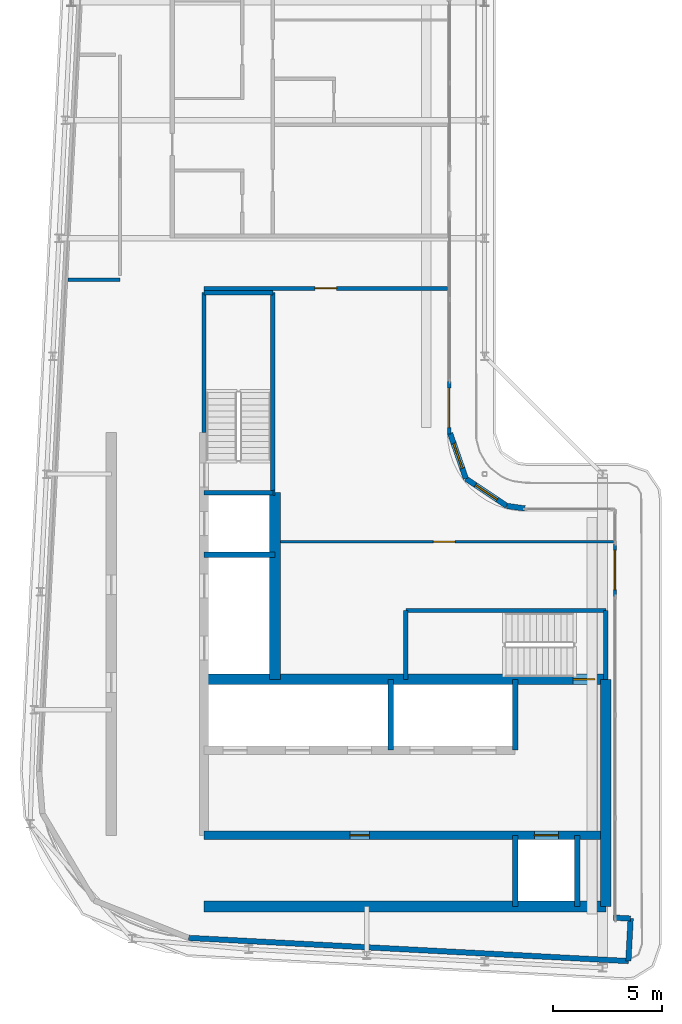
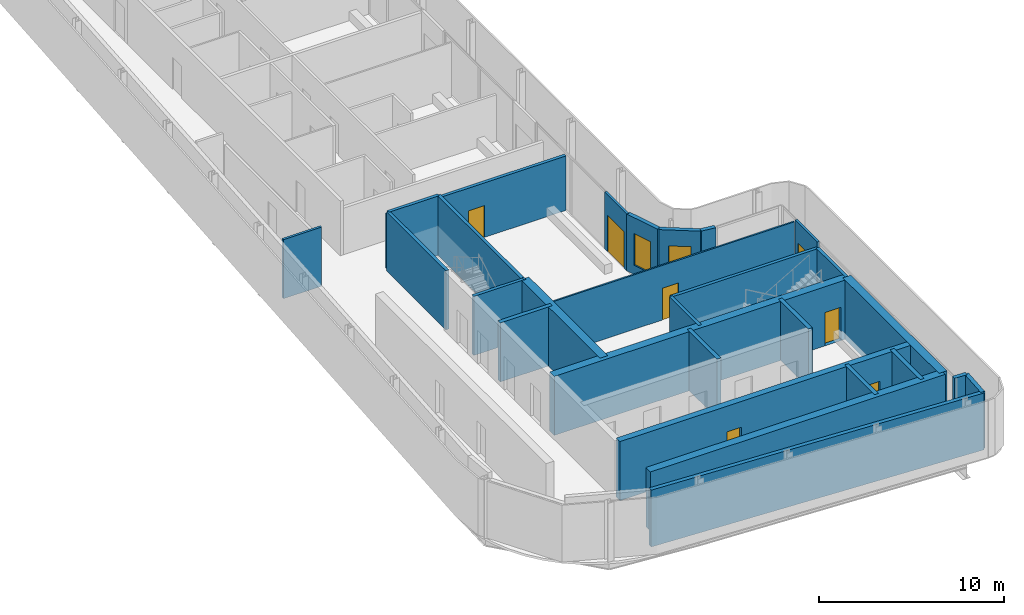
# One storey, part 9 of 15: 29 walls, 7 doors, 2 windows, 9 openings.
"""IFC4 building model written with IfcOpenShell, lengths in metres."""

from ifc_helpers import new_model, si_unit, direction, frame, frame_2d, origin, place, context, subcontext, project, spatial, rectangle, extrude, source, transform, mapped, material, layer, layer_set, type_object, element, fill, save


model = new_model("IFC4")

# Units and contexts
model_context = context("Model", 3, precision=1e-05, world=origin(), true_north=direction((0.0, 1.0)))
body_context = subcontext(model_context, "Body", "Model", "MODEL_VIEW")
ifc_project = project(units=[si_unit("LENGTHUNIT", "METRE"), si_unit("AREAUNIT", "SQUARE_METRE"), si_unit("VOLUMEUNIT", "CUBIC_METRE"), si_unit("PLANEANGLEUNIT", "RADIAN"), si_unit("MASSUNIT", "GRAM", prefix="KILO")], contexts=[model_context])

# Site, building, storey
site_placement = place(None, origin())
site = spatial("IfcSite", under=ifc_project, at=site_placement, CompositionType="ELEMENT")
building_placement = place(site_placement, origin())
building = spatial("IfcBuilding", under=site, at=building_placement, Name="Kheshtan School and Residences Tower", CompositionType="ELEMENT")
storey_placement = place(building_placement, frame((0.0, 0.0, 338.300048828125)))
storey = spatial("IfcBuildingStorey", under=building, at=storey_placement, Name="L79", CompositionType="ELEMENT", Elevation=338.300048828125)

# Wall, openings, doors
ifc_material_1 = material(Name="Concrete C50/60", Category="concrete")
ifc_layer_1 = layer(ifc_material_1, 0.39990234375)
ifc_layer_set_1 = layer_set([ifc_layer_1], Name="Core wall 400 Concrete C50/60")
wall_type_1 = type_object("IfcWallType", Name="Core wall 400 Concrete C50/60", PredefinedType="SHEAR", material=ifc_layer_set_1)
wall_1_placement = place(storey_placement, frame((34.75, 29.050048828125, 0.0), z_axis=(0.0, 0.0, 1.0), x_axis=(1.0, 0.0, 0.0)))
wall_1 = element("IfcWall", 1, at=wall_1_placement, inside=storey, type_object=wall_type_1, Name="Core wall CW-HALL-S1", PredefinedType="SHEAR", context=body_context, shape_type="SweptSolid", body=[
    extrude(rectangle(XDim=18.39990234375, YDim=0.39990234375, at=frame_2d((9.199951171875, 0.0))), origin(), (0.0, 0.0, 1.0), 3.89990234375),
])
opening_1_placement = place(wall_1_placement, frame((15.125, 0.0, 0.0)))
opening_1 = element("IfcOpeningElement", 2, at=opening_1_placement, cuts=wall_1, Name="Opening LD", PredefinedType="OPENING", context=body_context, shape_type="SweptSolid", body=[
    extrude(rectangle(XDim=1.10009765625, YDim=2.199951171875, at=frame_2d((0.550048828125, 1.10009765625))), frame((0.0, 0.2099609375, 0.0), z_axis=(0.0, -1.0, 0.0), x_axis=(1.0, 0.0, 0.0)), (0.0, 0.0, 1.0), 0.419921875),
])
opening_2_placement = place(wall_1_placement, frame((6.675048828125, 0.0, 0.0)))
opening_2 = element("IfcOpeningElement", 3, at=opening_2_placement, cuts=wall_1, Name="Opening SR90", PredefinedType="OPENING", context=body_context, shape_type="SweptSolid", body=[
    extrude(rectangle(XDim=0.89990234375, YDim=2.199951171875, at=frame_2d((0.449951171875, 1.10009765625))), frame((0.0, 0.2099609375, 0.0), z_axis=(0.0, -1.0, 0.0), x_axis=(1.0, 0.0, 0.0)), (0.0, 0.0, 1.0), 0.419921875),
])
ifc_material_2 = material(Name="Stainless steel door leaves", Category="steel")
door_type_1 = type_object("IfcDoorType", Name="Lift landing door 1100", OperationType="SLIDING_TO_LEFT", PredefinedType="DOOR", material=ifc_material_2)
shared_shape_1 = source(origin(), body_context, "Body", "SweptSolid", [
    extrude(rectangle(XDim=1.10009765625, YDim=2.199951171875, at=frame_2d((0.550048828125, 1.10009765625))), frame((0.0, 0.02490234375, 0.0), z_axis=(0.0, -1.0, 0.0), x_axis=(1.0, 0.0, 0.0)), (0.0, 0.0, 1.0), 0.050048828125),
])
door_1_placement = place(opening_1_placement, origin())
door_1 = element("IfcDoor", 4, at=door_1_placement, inside=storey, type_object=door_type_1, Name="Lift FFL2 landing door", OperationType="SLIDING_TO_LEFT", OverallHeight=2.199951171875, OverallWidth=1.10009765625, PredefinedType="DOOR", context=body_context, shape_type="MappedRepresentation", body=[
    mapped(shared_shape_1, transform((0.0, 0.0, 0.0), x_axis=(1.0, 0.0, 0.0), y_axis=(0.0, 1.0, 0.0), z_axis=(0.0, 0.0, 1.0), scale=1.0)),
])
fill(opening_1, door_1)
ifc_material_3 = material(Name="Steel door leaf, galvanised", Category="steel")
door_type_2 = type_object("IfcDoorType", Name="Service room door 900 steel 90 min", OperationType="SINGLE_SWING_LEFT", PredefinedType="DOOR", material=ifc_material_3)
shared_shape_2 = source(origin(), body_context, "Body", "SweptSolid", [
    extrude(rectangle(XDim=0.89990234375, YDim=2.199951171875, at=frame_2d((0.449951171875, 1.10009765625))), frame((0.0, 0.02490234375, 0.0), z_axis=(0.0, -1.0, 0.0), x_axis=(1.0, 0.0, 0.0)), (0.0, 0.0, 1.0), 0.050048828125),
])
door_2_placement = place(opening_2_placement, origin())
door_2 = element("IfcDoor", 5, at=door_2_placement, inside=storey, type_object=door_type_2, Name="Service room door", OperationType="SINGLE_SWING_RIGHT", OverallHeight=2.199951171875, OverallWidth=0.89990234375, PredefinedType="DOOR", context=body_context, shape_type="MappedRepresentation", body=[
    mapped(shared_shape_2, transform((0.0, 0.0, 0.0), x_axis=(1.0, 0.0, 0.0), y_axis=(0.0, 1.0, 0.0), z_axis=(0.0, 0.0, 1.0), scale=1.0)),
])
fill(opening_2, door_2)

# Wall
ifc_layer_2 = layer(ifc_material_1, 0.5)
ifc_layer_set_2 = layer_set([ifc_layer_2], Name="Core wall 500 Concrete C50/60")
wall_type_2 = type_object("IfcWallType", Name="Core wall 500 Concrete C50/60", PredefinedType="SHEAR", material=ifc_layer_set_2)
wall_2_placement = place(storey_placement, frame((34.75, 25.800048828125, 0.0), z_axis=(0.0, 0.0, 1.0), x_axis=(1.0, 0.0, 0.0)))
element("IfcWall", 6, at=wall_2_placement, inside=storey, type_object=wall_type_2, Name="Core wall CW-REAR-S", PredefinedType="SHEAR", context=body_context, shape_type="SweptSolid", body=[
    extrude(rectangle(XDim=18.39990234375, YDim=0.5, at=frame_2d((9.199951171875, 0.0))), origin(), (0.0, 0.0, 1.0), 3.89990234375),
])

# Wall, opening, door
wall_3_placement = place(storey_placement, frame((34.75, 36.199951171875, 0.0), z_axis=(0.0, 0.0, 1.0), x_axis=(1.0, 0.0, 0.0)))
wall_3 = element("IfcWall", 7, at=wall_3_placement, inside=storey, type_object=wall_type_2, Name="Core wall CW-FRONT-S", PredefinedType="SHEAR", context=body_context, shape_type="SweptSolid", body=[
    extrude(rectangle(XDim=18.39990234375, YDim=0.5, at=frame_2d((9.199951171875, 0.0))), origin(), (0.0, 0.0, 1.0), 3.89990234375),
])
opening_3_placement = place(wall_3_placement, frame((16.89990234375, 0.0, 0.0)))
opening_3 = element("IfcOpeningElement", 8, at=opening_3_placement, cuts=wall_3, Name="Opening ST1D", PredefinedType="OPENING", context=body_context, shape_type="SweptSolid", body=[
    extrude(rectangle(XDim=1.0, YDim=2.199951171875, at=frame_2d((0.5, 1.10009765625))), frame((0.0, 0.260009765625, 0.0), z_axis=(0.0, -1.0, 0.0), x_axis=(1.0, 0.0, 0.0)), (0.0, 0.0, 1.0), 0.52001953125),
])
door_type_3 = type_object("IfcDoorType", Name="Stair door 1100 steel 90 min", OperationType="SINGLE_SWING_LEFT", PredefinedType="DOOR", material=ifc_material_3)
shared_shape_3 = source(origin(), body_context, "Body", "SweptSolid", [
    extrude(rectangle(XDim=1.0, YDim=2.199951171875, at=frame_2d((0.5, 1.10009765625))), frame((0.0, 0.02490234375, 0.0), z_axis=(0.0, -1.0, 0.0), x_axis=(1.0, 0.0, 0.0)), (0.0, 0.0, 1.0), 0.050048828125),
])
door_3_placement = place(opening_3_placement, origin())
door_3 = element("IfcDoor", 9, at=door_3_placement, inside=storey, type_object=door_type_3, Name="Stair ST1 door", OperationType="SINGLE_SWING_RIGHT", OverallHeight=2.199951171875, OverallWidth=1.0, PredefinedType="DOOR", context=body_context, shape_type="MappedRepresentation", body=[
    mapped(shared_shape_3, transform((0.0, 0.0, 0.0), x_axis=(1.0, 0.0, 0.0), y_axis=(0.0, 1.0, 0.0), z_axis=(0.0, 0.0, 1.0), scale=1.0)),
])
fill(opening_3, door_3)

# Walls
wall_4_placement = place(storey_placement, frame((38.0, 36.199951171875, 0.0), z_axis=(0.0, 0.0, 1.0), x_axis=(0.0, 1.0, 0.0)))
element("IfcWall", 10, at=wall_4_placement, inside=storey, type_object=wall_type_2, Name="Core wall CW-FRONT-W", PredefinedType="SHEAR", context=body_context, shape_type="SweptSolid", body=[
    extrude(rectangle(XDim=8.550048828125, YDim=0.5, at=frame_2d((4.27490234375, 0.0))), origin(), (0.0, 0.0, 1.0), 3.89990234375),
])
wall_5_placement = place(storey_placement, frame((53.14990234375, 25.800048828125, 0.0), z_axis=(0.0, 0.0, 1.0), x_axis=(0.0, 1.0, 0.0)))
element("IfcWall", 11, at=wall_5_placement, inside=storey, type_object=wall_type_2, Name="Core wall CW-EAST", PredefinedType="SHEAR", context=body_context, shape_type="SweptSolid", body=[
    extrude(rectangle(XDim=10.39990234375, YDim=0.5, at=frame_2d((5.199951171875, 0.0))), origin(), (0.0, 0.0, 1.0), 3.89990234375),
])

# Wall, opening, door
ifc_material_4 = material(Name="Gypsum board on steel studs with fire boards", Category="steel")
ifc_layer_3 = layer(ifc_material_4, 0.199951171875)
ifc_layer_set_3 = layer_set([ifc_layer_3], Name="Corridor wall 200")
wall_type_3 = type_object("IfcWallType", Name="Corridor wall 200", PredefinedType="PARTITIONING", material=ifc_layer_set_3)
wall_6_placement = place(storey_placement, frame((34.75, 54.10009765625, 0.0), z_axis=(0.0, 0.0, 1.0), x_axis=(1.0, 0.0, 0.0)))
wall_6 = element("IfcWall", 12, at=wall_6_placement, inside=storey, type_object=wall_type_3, Name="Partition L79-011", PredefinedType="PARTITIONING", context=body_context, shape_type="SweptSolid", body=[
    extrude(rectangle(XDim=11.14990234375, YDim=0.199951171875, at=frame_2d((5.574951171875, 0.0))), origin(), (0.0, 0.0, 1.0), 3.599853515625),
])
opening_4_placement = place(wall_6_placement, frame((5.074951171875, 0.0, 0.0)))
opening_4 = element("IfcOpeningElement", 13, at=opening_4_placement, cuts=wall_6, Name="Opening D79-019", PredefinedType="OPENING", context=body_context, shape_type="SweptSolid", body=[
    extrude(rectangle(XDim=1.0, YDim=2.10009765625, at=frame_2d((0.5, 1.050048828125))), frame((0.0, 0.10986328125, 0.0), z_axis=(0.0, -1.0, 0.0), x_axis=(1.0, 0.0, 0.0)), (0.0, 0.0, 1.0), 0.219970703125),
])
ifc_material_5 = material(Name="Steel-framed fire-resisting door leaf", Category="steel")
door_type_4 = type_object("IfcDoorType", Name="Fire door FD60 1000 x 2100", OperationType="SINGLE_SWING_LEFT", PredefinedType="DOOR", material=ifc_material_5)
shared_shape_4 = source(origin(), body_context, "Body", "SweptSolid", [
    extrude(rectangle(XDim=1.0, YDim=2.10009765625, at=frame_2d((0.5, 1.050048828125))), frame((0.0, 0.02490234375, 0.0), z_axis=(0.0, -1.0, 0.0), x_axis=(1.0, 0.0, 0.0)), (0.0, 0.0, 1.0), 0.050048828125),
])
door_4_placement = place(opening_4_placement, origin())
door_4 = element("IfcDoor", 14, at=door_4_placement, inside=storey, type_object=door_type_4, Name="Door D79-019", OperationType="SINGLE_SWING_RIGHT", OverallHeight=2.10009765625, OverallWidth=1.0, PredefinedType="DOOR", context=body_context, shape_type="MappedRepresentation", body=[
    mapped(shared_shape_4, transform((0.0, 0.0, 0.0), x_axis=(1.0, 0.0, 0.0), y_axis=(0.0, 1.0, 0.0), z_axis=(0.0, 0.0, 1.0), scale=1.0)),
])
fill(opening_4, door_4)

# Wall, opening, window
ifc_material_6 = material(Name="Concrete C40/50 with ceramic cladding and mineral wool insulation", Category="concrete")
ifc_layer_4 = layer(ifc_material_6, 0.25)
ifc_layer_set_4 = layer_set([ifc_layer_4], Name="External wall 250 ceramic clad")
wall_type_4 = type_object("IfcWallType", Name="External wall 250 ceramic clad", PredefinedType="SOLIDWALL", material=ifc_layer_set_4)
wall_7_placement = place(storey_placement, frame((46.01806640625, 47.470947265625, 0.0), z_axis=(0.0, 0.0, 1.0), x_axis=(0.328791208903, -0.944402637093, 0.0)))
wall_7 = element("IfcWall", 15, at=wall_7_placement, inside=storey, type_object=wall_type_4, Name="External wall L79 5", PredefinedType="SOLIDWALL", context=body_context, shape_type="SweptSolid", body=[
    extrude(rectangle(XDim=2.20458984375, YDim=0.25, at=frame_2d((1.102294921875, 0.0))), origin(), (0.0, 0.0, 1.0), 3.75),
])
opening_5_placement = place(wall_7_placement, frame((0.5029296875, 0.0, 0.60009765625)))
opening_5 = element("IfcOpeningElement", 16, at=opening_5_placement, cuts=wall_7, Name="Opening WN-E", PredefinedType="OPENING", context=body_context, shape_type="SweptSolid", body=[
    extrude(rectangle(XDim=1.199951171875, YDim=2.10009765625, at=frame_2d((0.60009765625, 1.050048828125))), frame((0.0, 0.135009765625, 0.0), z_axis=(0.0, -1.0, 0.0), x_axis=(1.0, 0.0, 0.0)), (0.0, 0.0, 1.0), 0.27001953125),
])
ifc_material_7 = material(Name="Clear low-e glass in thermally broken aluminium frame", Category="aluminium")
window_type = type_object("IfcWindowType", Name="Window WN-E", PartitioningType="SINGLE_PANEL", PredefinedType="WINDOW", material=ifc_material_7)
shared_shape_5 = source(origin(), body_context, "Body", "SweptSolid", [
    extrude(rectangle(XDim=1.199951171875, YDim=2.10009765625, at=frame_2d((0.60009765625, 1.050048828125))), frame((0.0, 0.030029296875, 0.0), z_axis=(0.0, -1.0, 0.0), x_axis=(1.0, 0.0, 0.0)), (0.0, 0.0, 1.0), 0.06005859375),
])
window_1_placement = place(opening_5_placement, origin())
window_1 = element("IfcWindow", 17, at=window_1_placement, inside=storey, type_object=window_type, Name="Window L79 5", OverallHeight=2.10009765625, OverallWidth=1.199951171875, PartitioningType="SINGLE_PANEL", PredefinedType="WINDOW", context=body_context, shape_type="MappedRepresentation", body=[
    mapped(shared_shape_5, transform((0.0, 0.0, 0.0), x_axis=(1.0, 0.0, 0.0), y_axis=(0.0, 1.0, 0.0), z_axis=(0.0, 0.0, 1.0), scale=1.0)),
])
fill(opening_5, window_1)

wall_8_placement = place(storey_placement, frame((46.742919921875, 45.388916015625, 0.0), z_axis=(0.0, 0.0, 1.0), x_axis=(0.831449265529, -0.555600682912, 0.0)))
wall_8 = element("IfcWall", 18, at=wall_8_placement, inside=storey, type_object=wall_type_4, Name="External wall L79 6", PredefinedType="SOLIDWALL", context=body_context, shape_type="SweptSolid", body=[
    extrude(rectangle(XDim=2.25146484375, YDim=0.25, at=frame_2d((1.125732421875, 0.0))), origin(), (0.0, 0.0, 1.0), 3.75),
])
opening_6_placement = place(wall_8_placement, frame((0.52490234375, 0.0, 0.60009765625)))
opening_6 = element("IfcOpeningElement", 19, at=opening_6_placement, cuts=wall_8, Name="Opening WN-E", PredefinedType="OPENING", context=body_context, shape_type="SweptSolid", body=[
    extrude(rectangle(XDim=1.199951171875, YDim=2.10009765625, at=frame_2d((0.60009765625, 1.050048828125))), frame((0.0, 0.135009765625, 0.0), z_axis=(0.0, -1.0, 0.0), x_axis=(1.0, 0.0, 0.0)), (0.0, 0.0, 1.0), 0.27001953125),
])
window_2_placement = place(opening_6_placement, origin())
window_2 = element("IfcWindow", 20, at=window_2_placement, inside=storey, type_object=window_type, Name="Window L79 6", OverallHeight=2.10009765625, OverallWidth=1.199951171875, PartitioningType="SINGLE_PANEL", PredefinedType="WINDOW", context=body_context, shape_type="MappedRepresentation", body=[
    mapped(shared_shape_5, transform((0.0, 0.0, 0.0), x_axis=(1.0, 0.0, 0.0), y_axis=(0.0, 1.0, 0.0), z_axis=(0.0, 0.0, 1.0), scale=1.0)),
])
fill(opening_6, window_2)

# Walls
wall_9_placement = place(storey_placement, frame((48.614990234375, 44.137939453125, 0.0), z_axis=(0.0, 0.0, 1.0), x_axis=(0.990741504246, -0.135761819977, 0.0)))
element("IfcWall", 21, at=wall_9_placement, inside=storey, type_object=wall_type_4, Name="External wall L79 7", PredefinedType="SOLIDWALL", context=body_context, shape_type="SweptSolid", body=[
    extrude(rectangle(XDim=0.83984375, YDim=0.25, at=frame_2d((0.419921875, 0.0))), origin(), (0.0, 0.0, 1.0), 3.75),
])
wall_10_placement = place(storey_placement, frame((53.507080078125, 25.281005859375, 0.0), z_axis=(0.0, 0.0, 1.0), x_axis=(0.998561284263, -0.053622398031, 0.0)))
element("IfcWall", 22, at=wall_10_placement, inside=storey, type_object=wall_type_4, Name="External wall L79 10", PredefinedType="SOLIDWALL", context=body_context, shape_type="SweptSolid", body=[
    extrude(rectangle(XDim=0.783203125, YDim=0.25, at=frame_2d((0.3916015625, 0.0))), origin(), (0.0, 0.0, 1.0), 3.75),
])
wall_11_placement = place(storey_placement, frame((54.2890625, 25.239013671875, 0.0), z_axis=(0.0, 0.0, 1.0), x_axis=(-0.052841433274, -0.998602915542, 0.0)))
element("IfcWall", 23, at=wall_11_placement, inside=storey, type_object=wall_type_4, Name="External wall L79 11", PredefinedType="SOLIDWALL", context=body_context, shape_type="SweptSolid", body=[
    extrude(rectangle(XDim=1.94970703125, YDim=0.25, at=frame_2d((0.974853515625, 0.0))), origin(), (0.0, 0.0, 1.0), 3.75),
])
wall_12_placement = place(storey_placement, frame((54.18603515625, 23.2919921875, 0.0), z_axis=(0.0, 0.0, 1.0), x_axis=(-0.998616090491, 0.052591860707, 0.0)))
element("IfcWall", 24, at=wall_12_placement, inside=storey, type_object=wall_type_4, Name="External wall L79 12", PredefinedType="SOLIDWALL", context=body_context, shape_type="SweptSolid", body=[
    extrude(rectangle(XDim=20.1748046875, YDim=0.25, at=frame_2d((10.08740234375, 0.0))), origin(), (0.0, 0.0, 1.0), 3.75),
])

# Wall, opening, door
ifc_material_8 = material(Name="Aluminium frame wall with insulated infill", Category="aluminium")
ifc_layer_5 = layer(ifc_material_8, 0.14990234375)
ifc_layer_set_5 = layer_set([ifc_layer_5], Name="Glazing frame wall 150")
wall_type_5 = type_object("IfcWallType", Name="Glazing frame wall 150", PredefinedType="SOLIDWALL", material=ifc_layer_set_5)
wall_13_placement = place(storey_placement, frame((45.97509765625, 49.830078125, 0.0), z_axis=(0.0, 0.0, 1.0), x_axis=(0.0, -1.0, 0.0)))
wall_13 = element("IfcWall", 25, at=wall_13_placement, inside=storey, type_object=wall_type_5, Name="Balcony door wall L79 4.4", PredefinedType="SOLIDWALL", context=body_context, shape_type="SweptSolid", body=[
    extrude(rectangle(XDim=2.400146484375, YDim=0.14990234375, at=frame_2d((1.2001953125, 0.0))), origin(), (0.0, 0.0, 1.0), 3.75),
])
opening_7_placement = place(wall_13_placement, frame((0.300048828125, 0.0, 0.0)))
opening_7 = element("IfcOpeningElement", 26, at=opening_7_placement, cuts=wall_13, Name="Opening BD", PredefinedType="OPENING", context=body_context, shape_type="SweptSolid", body=[
    extrude(rectangle(XDim=1.800048828125, YDim=2.39990234375, at=frame_2d((0.89990234375, 1.199951171875))), frame((0.0, 0.0849609375, 0.0), z_axis=(0.0, -1.0, 0.0), x_axis=(1.0, 0.0, 0.0)), (0.0, 0.0, 1.0), 0.169921875),
])
door_type_5 = type_object("IfcDoorType", Name="Balcony sliding door", OperationType="SLIDING_TO_LEFT", PredefinedType="DOOR", material=ifc_material_7)
shared_shape_6 = source(origin(), body_context, "Body", "SweptSolid", [
    extrude(rectangle(XDim=1.800048828125, YDim=2.39990234375, at=frame_2d((0.89990234375, 1.199951171875))), frame((0.0, 0.02490234375, 0.0), z_axis=(0.0, -1.0, 0.0), x_axis=(1.0, 0.0, 0.0)), (0.0, 0.0, 1.0), 0.050048828125),
])
door_5_placement = place(opening_7_placement, origin())
door_5 = element("IfcDoor", 27, at=door_5_placement, inside=storey, type_object=door_type_5, Name="Balcony door L79 4.4", OperationType="SLIDING_TO_LEFT", OverallHeight=2.39990234375, OverallWidth=1.800048828125, PredefinedType="DOOR", context=body_context, shape_type="MappedRepresentation", body=[
    mapped(shared_shape_6, transform((0.0, 0.0, 0.0), x_axis=(1.0, 0.0, 0.0), y_axis=(0.0, 1.0, 0.0), z_axis=(0.0, 0.0, 1.0), scale=1.0)),
])
fill(opening_7, door_5)

wall_14_placement = place(storey_placement, frame((53.574951171875, 42.39990234375, 0.0), z_axis=(0.0, 0.0, 1.0), x_axis=(0.0, -1.0, 0.0)))
wall_14 = element("IfcWall", 28, at=wall_14_placement, inside=storey, type_object=wall_type_5, Name="Balcony door wall L79 9.1", PredefinedType="SOLIDWALL", context=body_context, shape_type="SweptSolid", body=[
    extrude(rectangle(XDim=2.39990234375, YDim=0.14990234375, at=frame_2d((1.199951171875, 0.0))), origin(), (0.0, 0.0, 1.0), 3.75),
])
opening_8_placement = place(wall_14_placement, frame((0.300048828125, 0.0, 0.0)))
opening_8 = element("IfcOpeningElement", 29, at=opening_8_placement, cuts=wall_14, Name="Opening BD", PredefinedType="OPENING", context=body_context, shape_type="SweptSolid", body=[
    extrude(rectangle(XDim=1.800048828125, YDim=2.39990234375, at=frame_2d((0.89990234375, 1.199951171875))), frame((0.0, 0.0849609375, 0.0), z_axis=(0.0, -1.0, 0.0), x_axis=(1.0, 0.0, 0.0)), (0.0, 0.0, 1.0), 0.169921875),
])
door_6_placement = place(opening_8_placement, origin())
door_6 = element("IfcDoor", 30, at=door_6_placement, inside=storey, type_object=door_type_5, Name="Balcony door L79 9.1", OperationType="SLIDING_TO_LEFT", OverallHeight=2.39990234375, OverallWidth=1.800048828125, PredefinedType="DOOR", context=body_context, shape_type="MappedRepresentation", body=[
    mapped(shared_shape_6, transform((0.0, 0.0, 0.0), x_axis=(1.0, 0.0, 0.0), y_axis=(0.0, 1.0, 0.0), z_axis=(0.0, 0.0, 1.0), scale=1.0)),
])
fill(opening_8, door_6)

ifc_material_9 = material(Name="Gypsum board on steel studs", Category="steel")
ifc_layer_6 = layer(ifc_material_9, 0.10009765625)
ifc_layer_set_6 = layer_set([ifc_layer_6], Name="Gypsum partition 100")
wall_type_6 = type_object("IfcWallType", Name="Gypsum partition 100", PredefinedType="PARTITIONING", material=ifc_layer_set_6)
wall_15_placement = place(storey_placement, frame((38.2490234375, 42.5, 0.0), z_axis=(0.0, 0.0, 1.0), x_axis=(1.0, 0.0, 0.0)))
wall_15 = element("IfcWall", 31, at=wall_15_placement, inside=storey, type_object=wall_type_6, Name="Partition L79-024", PredefinedType="PARTITIONING", context=body_context, shape_type="SweptSolid", body=[
    extrude(rectangle(XDim=15.2509765625, YDim=0.10009765625, at=frame_2d((7.62548828125, 0.0))), origin(), (0.0, 0.0, 1.0), 3.599853515625),
])
opening_9_placement = place(wall_15_placement, frame((7.0009765625, 0.0, 0.0)))
opening_9 = element("IfcOpeningElement", 32, at=opening_9_placement, cuts=wall_15, Name="Opening D79-018", PredefinedType="OPENING", context=body_context, shape_type="SweptSolid", body=[
    extrude(rectangle(XDim=1.0, YDim=2.10009765625, at=frame_2d((0.5, 1.050048828125))), frame((0.0, 0.06005859375, 0.0), z_axis=(0.0, -1.0, 0.0), x_axis=(1.0, 0.0, 0.0)), (0.0, 0.0, 1.0), 0.1201171875),
])
ifc_material_10 = material(Name="Veneered timber door leaf", Category="wood")
door_type_6 = type_object("IfcDoorType", Name="Door 1000 x 2100", OperationType="SINGLE_SWING_LEFT", PredefinedType="DOOR", material=ifc_material_10)
shared_shape_7 = source(origin(), body_context, "Body", "SweptSolid", [
    extrude(rectangle(XDim=1.0, YDim=2.10009765625, at=frame_2d((0.5, 1.050048828125))), frame((0.0, 0.02490234375, 0.0), z_axis=(0.0, -1.0, 0.0), x_axis=(1.0, 0.0, 0.0)), (0.0, 0.0, 1.0), 0.050048828125),
])
door_7_placement = place(opening_9_placement, origin())
door_7 = element("IfcDoor", 33, at=door_7_placement, inside=storey, type_object=door_type_6, Name="Door D79-018", OperationType="SINGLE_SWING_LEFT", OverallHeight=2.10009765625, OverallWidth=1.0, PredefinedType="DOOR", context=body_context, shape_type="MappedRepresentation", body=[
    mapped(shared_shape_7, transform((0.0, 0.0, 0.0), x_axis=(1.0, 0.0, 0.0), y_axis=(0.0, 1.0, 0.0), z_axis=(0.0, 0.0, 1.0), scale=1.0)),
])
fill(opening_9, door_7)

# Walls
ifc_material_11 = material(Name="Fire-board shaft wall system")
ifc_layer_7 = layer(ifc_material_11, 0.14990234375)
ifc_layer_set_7 = layer_set([ifc_layer_7], Name="Service room wall 150")
wall_type_7 = type_object("IfcWallType", Name="Service room wall 150", PredefinedType="PARTITIONING", material=ifc_layer_set_7)
wall_16_placement = place(storey_placement, frame((28.509033203125, 54.5, 0.0), z_axis=(0.0, 0.0, 1.0), x_axis=(1.0, 0.0, 0.0)))
element("IfcWall", 34, at=wall_16_placement, inside=storey, type_object=wall_type_7, Name="Service room wall", PredefinedType="PARTITIONING", context=body_context, shape_type="SweptSolid", body=[
    extrude(rectangle(XDim=2.390869140625, YDim=0.14990234375, at=frame_2d((1.1953125, 0.0))), origin(), (0.0, 0.0, 1.0), 3.89990234375),
])
ifc_layer_8 = layer(ifc_material_11, 0.25)
ifc_layer_set_8 = layer_set([ifc_layer_8], Name="Shaft lining wall 250")
wall_type_8 = type_object("IfcWallType", Name="Shaft lining wall 250", PredefinedType="PARTITIONING", material=ifc_layer_set_8)
for number, where, z_axis, x_axis, name in (
    (35, (43.300048828125, 32.949951171875, 0.0), (0.0, 0.0, 1.0), (0.0, 1.0, 0.0), "Shaft lining wall"),
    (36, (49.0, 25.800048828125, 0.0), (0.0, 0.0, 1.0), (0.0, 1.0, 0.0), "Shaft lining wall"),
    (37, (49.0, 32.949951171875, 0.0), (0.0, 0.0, 1.0), (0.0, 1.0, 0.0), "Shaft lining wall"),
    (38, (51.85009765625, 25.800048828125, 0.0), (0.0, 0.0, 1.0), (0.0, 1.0, 0.0), "Shaft lining wall"),
    (39, (34.75, 41.89990234375, 0.0), (0.0, 0.0, 1.0), (1.0, 0.0, 0.0), "Shaft lining wall"),
):
    element("IfcWall", number, at=place(storey_placement, frame(where, z_axis=z_axis, x_axis=x_axis)), inside=storey, type_object=wall_type_8, Name=name, PredefinedType="PARTITIONING", context=body_context, shape_type="SweptSolid", body=[
        extrude(rectangle(XDim=3.25, YDim=0.25, at=frame_2d((1.625, 0.0))), origin(), (0.0, 0.0, 1.0), 3.89990234375),
    ])
wall_17_placement = place(storey_placement, frame((37.89990234375, 44.75, 0.0), z_axis=(0.0, 0.0, 1.0), x_axis=(1.0, 0.0, 0.0)))
element("IfcWall", 40, at=wall_17_placement, inside=storey, type_object=wall_type_8, Name="Shaft lining wall", PredefinedType="PARTITIONING", context=body_context, shape_type="SweptSolid", body=[
    extrude(rectangle(XDim=0.10009765625, YDim=0.25, at=frame_2d((0.050048828125, 0.0))), origin(), (0.0, 0.0, 1.0), 3.89990234375),
])
ifc_material_12 = material(Name="Concrete C40/50", Category="concrete")
ifc_layer_9 = layer(ifc_material_12, 0.199951171875)
ifc_layer_set_9 = layer_set([ifc_layer_9], Name="Stair enclosure wall 200 Concrete C40/50")
wall_type_9 = type_object("IfcWallType", Name="Stair enclosure wall 200 Concrete C40/50", PredefinedType="SHEAR", material=ifc_layer_set_9)
wall_18_placement = place(storey_placement, frame((43.989990234375, 39.35009765625, 0.0), z_axis=(0.0, 0.0, 1.0), x_axis=(1.0, 0.0, 0.0)))
element("IfcWall", 41, at=wall_18_placement, inside=storey, type_object=wall_type_9, Name="Stair enclosure wall ST1", PredefinedType="SHEAR", context=body_context, shape_type="SweptSolid", body=[
    extrude(rectangle(XDim=9.159912109375, YDim=0.199951171875, at=frame_2d((4.580078125, 0.0))), origin(), (0.0, 0.0, 1.0), 3.89990234375),
])
for number, where, z_axis, x_axis, name in (
    (42, (43.989990234375, 36.199951171875, 0.0), (0.0, 0.0, 1.0), (0.0, 1.0, 0.0), "Stair enclosure wall ST1"),
    (43, (53.14990234375, 36.199951171875, 0.0), (0.0, 0.0, 1.0), (0.0, 1.0, 0.0), "Stair enclosure wall ST1"),
):
    element("IfcWall", number, at=place(storey_placement, frame(where, z_axis=z_axis, x_axis=x_axis)), inside=storey, type_object=wall_type_9, Name=name, PredefinedType="SHEAR", context=body_context, shape_type="SweptSolid", body=[
        extrude(rectangle(XDim=3.150146484375, YDim=0.199951171875, at=frame_2d((1.5751953125, 0.0))), origin(), (0.0, 0.0, 1.0), 3.89990234375),
    ])
for number, where, z_axis, x_axis, name in (
    (44, (34.75, 44.75, 0.0), (0.0, 0.0, 1.0), (1.0, 0.0, 0.0), "Stair enclosure wall ST2"),
    (45, (34.75, 53.909912109375, 0.0), (0.0, 0.0, 1.0), (1.0, 0.0, 0.0), "Stair enclosure wall ST2"),
):
    element("IfcWall", number, at=place(storey_placement, frame(where, z_axis=z_axis, x_axis=x_axis)), inside=storey, type_object=wall_type_9, Name=name, PredefinedType="SHEAR", context=body_context, shape_type="SweptSolid", body=[
        extrude(rectangle(XDim=3.14990234375, YDim=0.199951171875, at=frame_2d((1.574951171875, 0.0))), origin(), (0.0, 0.0, 1.0), 3.89990234375),
    ])
wall_19_placement = place(storey_placement, frame((34.75, 47.5, 0.0), z_axis=(0.0, 0.0, 1.0), x_axis=(0.0, 1.0, 0.0)))
element("IfcWall", 46, at=wall_19_placement, inside=storey, type_object=wall_type_9, Name="Stair enclosure wall ST2", PredefinedType="SHEAR", context=body_context, shape_type="SweptSolid", body=[
    extrude(rectangle(XDim=6.409912109375, YDim=0.199951171875, at=frame_2d((3.205078125, 0.0))), origin(), (0.0, 0.0, 1.0), 3.89990234375),
])
wall_20_placement = place(storey_placement, frame((37.89990234375, 44.75, 0.0), z_axis=(0.0, 0.0, 1.0), x_axis=(0.0, 1.0, 0.0)))
element("IfcWall", 47, at=wall_20_placement, inside=storey, type_object=wall_type_9, Name="Stair enclosure wall ST2", PredefinedType="SHEAR", context=body_context, shape_type="SweptSolid", body=[
    extrude(rectangle(XDim=9.159912109375, YDim=0.199951171875, at=frame_2d((4.580078125, 0.0))), origin(), (0.0, 0.0, 1.0), 3.89990234375),
])

save(model, "model.ifc")
